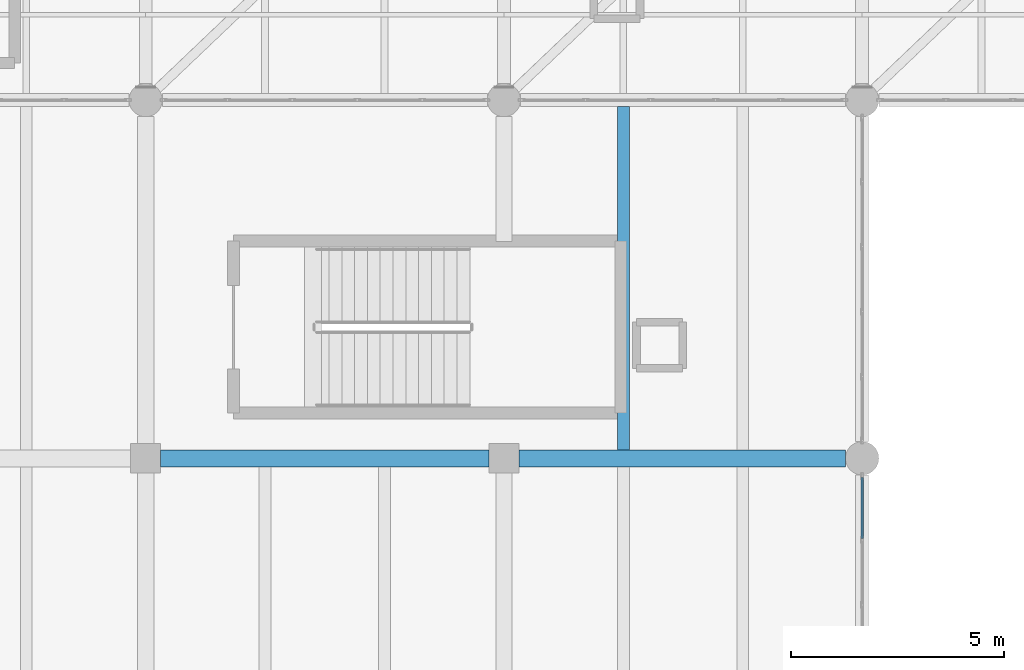
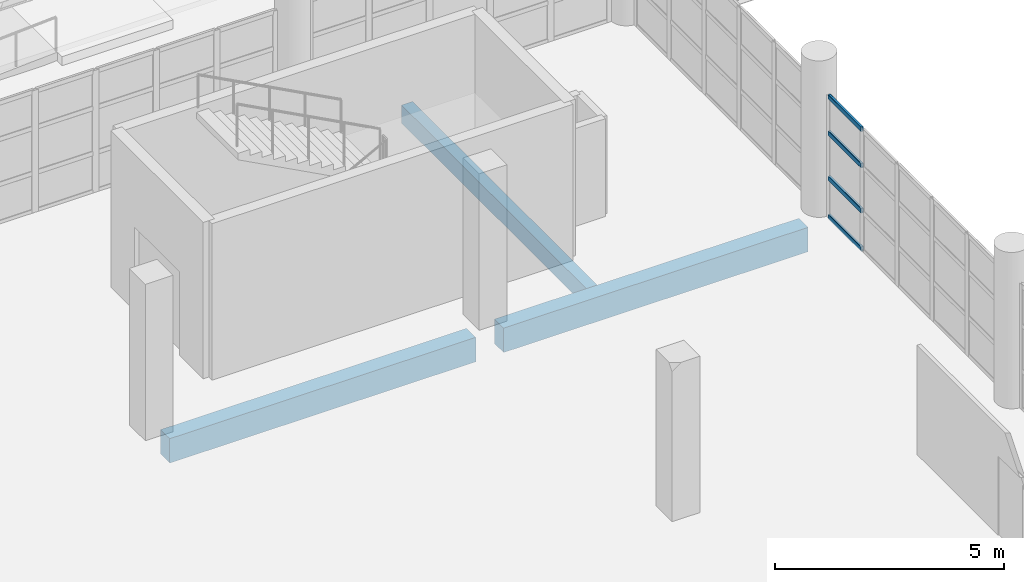
# One storey, part 95 of 177: 4 members, 3 beams, 1 element without a shape of its own.
"""IFC4 building model written with IfcOpenShell, lengths in metres."""

import ifcopenshell
import ifcopenshell.guid

model = None  # the IFC model being written
_history = None  # IfcOwnerHistory: only IFC2X3 demands one
_inside = {}  # id of a spatial element -> (the spatial element, [elements in it])
_under = {}  # id of a project, library or spatial element -> (it, [spatial elements below it])
_declared = {}  # id of a project -> (the project, [libraries it declares])
_typed = {}  # id of a type object -> (the type object, [elements of that type])
_made_of = {}  # id of a material, layer set ... -> (it, [elements and type objects made of it])


def new_model(schema):
    """Start an empty IFC model of exactly this schema.

    Asked for "IFC4X3", IfcOpenShell would pick the latest addendum, in which some entities
    have other attributes; the version numbers below select the first issue.
    IFC2X3 requires an IfcOwnerHistory on every rooted entity: one is made here for all.
    """
    global model, _history
    if schema == "IFC4X3":
        model = ifcopenshell.file(schema_version=(4, 3, 0, 0))
    else:
        model = ifcopenshell.file(schema=schema)
    _inside.clear()
    _under.clear()
    _declared.clear()
    _typed.clear()
    _made_of.clear()
    _history = None
    if model.schema == "IFC2X3":
        org = make("IfcOrganization", Name="unknown")
        user = make(
            "IfcPersonAndOrganization",
            ThePerson=make("IfcPerson", FamilyName="unknown"),
            TheOrganization=org,
        )
        app = make(
            "IfcApplication",
            ApplicationDeveloper=org,
            Version="unknown",
            ApplicationFullName="unknown",
            ApplicationIdentifier="unknown",
        )
        _history = make(
            "IfcOwnerHistory",
            OwningUser=user,
            OwningApplication=app,
            ChangeAction="ADDED",
            CreationDate=0,
        )
    return model


def make(cls, **values):
    """One entity of the class cls with the attributes given. An attribute that is None is left unset."""
    return model.create_entity(
        cls, **{name: value for name, value in values.items() if value is not None}
    )


def rooted(cls, **values):
    """An entity with a GlobalId (a new one), such as an element, a storey or a relation."""
    return make(cls, GlobalId=ifcopenshell.guid.new(), OwnerHistory=_history, **values)


def si_unit(unit_type, name, prefix=None):
    """IfcSIUnit, for example si_unit("LENGTHUNIT", "METRE", prefix="MILLI")."""
    return make("IfcSIUnit", UnitType=unit_type, Prefix=prefix, Name=name)


def assignment(units):
    """IfcUnitAssignment: the units of a project."""
    return None if units is None else make("IfcUnitAssignment", Units=units)


def point(xyz):
    """IfcCartesianPoint."""
    return None if xyz is None else make("IfcCartesianPoint", Coordinates=xyz)


def direction(xyz):
    """IfcDirection."""
    return None if xyz is None else make("IfcDirection", DirectionRatios=xyz)


def frame(location, z_axis=None, x_axis=None):
    """IfcAxis2Placement3D, a coordinate frame: its origin and axes. An axis left out is left unset."""
    return make(
        "IfcAxis2Placement3D",
        Location=point(location),
        Axis=direction(z_axis),
        RefDirection=direction(x_axis),
    )


def frame_2d(location, x_axis=None):
    """IfcAxis2Placement2D, a coordinate frame in the plane: its origin and x axis."""
    return make(
        "IfcAxis2Placement2D", Location=point(location), RefDirection=direction(x_axis)
    )


def origin():
    """The frame at (0, 0, 0) with its axes left unset."""
    return frame((0.0, 0.0, 0.0))


def origin_2d():
    """The frame at (0, 0) in the plane with its x axis left unset."""
    return frame_2d((0.0, 0.0))


def place(relative_to, where):
    """IfcLocalPlacement: puts the frame where relative to a parent placement (None: the world)."""
    return make(
        "IfcLocalPlacement", PlacementRelTo=relative_to, RelativePlacement=where
    )


def context(
    kind, dimensions, precision=None, world=None, true_north=None, identifier=None
):
    """IfcGeometricRepresentationContext, for example the 3D "Model" context."""
    return make(
        "IfcGeometricRepresentationContext",
        ContextIdentifier=identifier,
        ContextType=kind,
        CoordinateSpaceDimension=dimensions,
        Precision=precision,
        WorldCoordinateSystem=world,
        TrueNorth=true_north,
    )


def subcontext(parent, identifier, kind, view, scale=None):
    """IfcGeometricRepresentationSubContext, for example "Body" below "Model"."""
    return make(
        "IfcGeometricRepresentationSubContext",
        ContextIdentifier=identifier,
        ContextType=kind,
        ParentContext=parent,
        TargetScale=scale,
        TargetView=view,
    )


def project(units=None, contexts=None):
    """IfcProject with its units and contexts."""
    return rooted(
        "IfcProject",
        Name="project",
        RepresentationContexts=contexts,
        UnitsInContext=assignment(units),
    )


def spatial(cls, under=None, at=None, **own):
    """A site, building, storey or space (cls), placed at a placement, below another one or the project."""
    s = rooted(cls, ObjectPlacement=at, **own)
    if under is not None:
        _under.setdefault(under.id(), (under, []))[1].append(s)
    return s


def profile(cls, at=None, kind="AREA", **sizes):
    """A parametric profile (cls). Its sizes go by their IFC names, for example OverallWidth=200.0."""
    return make(cls, ProfileType=kind, Position=at, **sizes)


def rectangle(**sizes):
    """IfcRectangleProfileDef."""
    return profile("IfcRectangleProfileDef", **sizes)


def hollow_rectangle(**sizes):
    """IfcRectangleHollowProfileDef."""
    return profile("IfcRectangleHollowProfileDef", **sizes)


def extrude(swept, where, along, depth):
    """IfcExtrudedAreaSolid: the profile swept, set in the frame where, extruded along a direction by depth."""
    return make(
        "IfcExtrudedAreaSolid",
        SweptArea=swept,
        Position=where,
        ExtrudedDirection=direction(along),
        Depth=depth,
    )


def shape(context_of_items, identifier, shape_type, items):
    """IfcShapeRepresentation: the items that make up one representation, for example the "Body"."""
    return make(
        "IfcShapeRepresentation",
        ContextOfItems=context_of_items,
        RepresentationIdentifier=identifier,
        RepresentationType=shape_type,
        Items=items,
    )


def material(Name=None, Category=None):
    """IfcMaterial."""
    return make("IfcMaterial", Name=Name, Category=Category)


def layer(
    of_material, thickness, ventilated=None, Name=None, Category=None, Priority=None
):
    """IfcMaterialLayer: one layer of a wall or slab, of a material (None: an air gap)."""
    return make(
        "IfcMaterialLayer",
        Material=of_material,
        LayerThickness=thickness,
        IsVentilated=ventilated,
        Name=Name,
        Category=Category,
        Priority=Priority,
    )


def layer_set(layers, Name=None):
    """IfcMaterialLayerSet."""
    return make("IfcMaterialLayerSet", MaterialLayers=layers, LayerSetName=Name)


def material_profile(
    of_material, cross_section, Name=None, Category=None, Priority=None
):
    """IfcMaterialProfile: a cross section and its material."""
    return make(
        "IfcMaterialProfile",
        Name=Name,
        Material=of_material,
        Profile=cross_section,
        Priority=Priority,
        Category=Category,
    )


def profile_set(profiles, Name=None, composite=None):
    """IfcMaterialProfileSet."""
    return make(
        "IfcMaterialProfileSet",
        Name=Name,
        MaterialProfiles=profiles,
        CompositeProfile=composite,
    )


def made_of(thing, what):
    """Note that an element or type object is made of a material, layer set ...; save() writes the relation."""
    if what is not None:
        _made_of.setdefault(what.id(), (what, []))[1].append(thing)
    return thing


def type_object(cls, material=None, **own):
    """A type object (cls), such as IfcWallType, which elements share."""
    return made_of(rooted(cls, **own), material)


def element(
    cls,
    number,
    at=None,
    inside=None,
    cuts=None,
    type_object=None,
    material=None,
    context=None,
    identifier="Body",
    shape_type=None,
    held_by="IfcProductDefinitionShape",
    body=None,
    shapes=None,
    **own,
):
    """One element of the class cls, such as IfcWall. Its Tag is "e" and its number.

    at: its placement. inside: the storey or other place that contains it. cuts: it is an
    opening in that element (IfcRelVoidsElement). A single representation is given by context,
    identifier, shape_type and body (its items); several are given by shapes. held_by: the class
    of the entity that holds the representations. save() writes the other relations.
    """
    e = rooted(cls, Tag="e%d" % number, ObjectPlacement=at, **own)
    if body is not None:
        shapes = [shape(context, identifier, shape_type, body)]
    if shapes is not None:
        e.Representation = make(held_by, Representations=shapes)
    if inside is not None:
        _inside.setdefault(inside.id(), (inside, []))[1].append(e)
    if cuts is not None:
        rooted(
            "IfcRelVoidsElement", RelatingBuildingElement=cuts, RelatedOpeningElement=e
        )
    if type_object is not None:
        _typed.setdefault(type_object.id(), (type_object, []))[1].append(e)
    return made_of(e, material)


def aggregate(whole, parts):
    """IfcRelAggregates: a whole, such as a stair, and the parts it consists of."""
    return rooted("IfcRelAggregates", RelatingObject=whole, RelatedObjects=parts)


def save(model, path):
    """Write the relations noted so far, then the file.

    IfcRelAggregates (storeys below a building ...), IfcRelContainedInSpatialStructure (elements
    in a storey), IfcRelDefinesByType, IfcRelAssociatesMaterial and IfcRelDeclares: one each for
    every whole, place, type object, material and project.
    """
    for whole, parts in _under.values():
        aggregate(whole, parts)
    for where, things in _inside.values():
        rooted(
            "IfcRelContainedInSpatialStructure",
            RelatedElements=things,
            RelatingStructure=where,
        )
    for kind, things in _typed.values():
        rooted("IfcRelDefinesByType", RelatedObjects=things, RelatingType=kind)
    for what, things in _made_of.values():
        rooted("IfcRelAssociatesMaterial", RelatedObjects=things, RelatingMaterial=what)
    for by, libraries in _declared.values():
        rooted("IfcRelDeclares", RelatingContext=by, RelatedDefinitions=libraries)
    model.write(path)


model = new_model("IFC4")

# Units and contexts
model_context = context("Model", 3, precision=1e-05, world=origin(), true_north=direction((0.0, 1.0)))
body_context = subcontext(model_context, "Body", "Model", "MODEL_VIEW")
ifc_project = project(units=[si_unit("LENGTHUNIT", "METRE"), si_unit("AREAUNIT", "SQUARE_METRE"), si_unit("VOLUMEUNIT", "CUBIC_METRE"), si_unit("PLANEANGLEUNIT", "RADIAN"), si_unit("MASSUNIT", "GRAM", prefix="KILO"), si_unit("THERMODYNAMICTEMPERATUREUNIT", "KELVIN"), si_unit("POWERUNIT", "WATT")], contexts=[model_context])

# Site, building, storey
site_placement = place(None, origin())
site = spatial("IfcSite", under=ifc_project, at=site_placement, CompositionType="ELEMENT")
building_placement = place(site_placement, origin())
building = spatial("IfcBuilding", under=site, at=building_placement, Name="Mavoryth Pier Ferry Terminal", CompositionType="ELEMENT")
storey_placement = place(building_placement, frame((0.0, 0.0, 5.43994140625)))
storey = spatial("IfcBuildingStorey", under=building, at=storey_placement, Name="L01", CompositionType="ELEMENT", Elevation=5.43994140625)

# Beams
ifc_material_1 = material(Name="Concrete C35/45", Category="concrete")
ifc_material_profile_1 = material_profile(ifc_material_1, rectangle(XDim=0.39990234375, YDim=0.64990234375, at=origin_2d()), Name="RC 400x650", Category="concrete")
ifc_profile_set_1 = profile_set([ifc_material_profile_1], Name="Concrete C35/45 - RC 400x650")
beam_type_1 = type_object("IfcBeamType", Name="Girder-RC-400x650", PredefinedType="BEAM", material=ifc_profile_set_1)
beam_1_placement = place(storey_placement, frame((75.949951171875, 97.60009765625, -0.60498046875), z_axis=(1.0, 0.0, 0.0), x_axis=(0.0, 1.0, 0.0)))
element("IfcBeam", 1, at=beam_1_placement, inside=storey, type_object=beam_type_1, Name="Beam B01-BG05-0197", PredefinedType="BEAM", context=body_context, shape_type="SweptSolid", body=[
    extrude(rectangle(XDim=0.39990234375, YDim=0.64990234375, at=origin_2d()), origin(), (0.0, 0.0, 1.0), 7.699951171875),
])
beam_2_placement = place(storey_placement, frame((84.35009765625, 97.60009765625, -0.60498046875), z_axis=(1.0, 0.0, 0.0), x_axis=(0.0, 1.0, 0.0)))
element("IfcBeam", 2, at=beam_2_placement, inside=storey, type_object=beam_type_1, Name="Beam B01-BG05-0198", PredefinedType="BEAM", context=body_context, shape_type="SweptSolid", body=[
    extrude(rectangle(XDim=0.39990234375, YDim=0.64990234375, at=origin_2d()), origin(), (0.0, 0.0, 1.0), 7.659912109375),
])
ifc_material_profile_2 = material_profile(ifc_material_1, rectangle(XDim=0.280029296875, YDim=0.47998046875, at=origin_2d()), Name="RC 280x480", Category="concrete")
ifc_profile_set_2 = profile_set([ifc_material_profile_2], Name="Concrete C35/45 - RC 280x480")
beam_type_2 = type_object("IfcBeamType", Name="Joist-RC-280x480", PredefinedType="JOIST", material=ifc_profile_set_2)
beam_3_placement = place(storey_placement, frame((86.800048828125, 97.800048828125, -0.52001953125), z_axis=(0.0, 1.0, 0.0), x_axis=(-1.0, 0.0, 0.0)))
element("IfcBeam", 3, at=beam_3_placement, inside=storey, type_object=beam_type_2, Name="Beam B01-BJ02-0257", PredefinedType="JOIST", context=body_context, shape_type="SweptSolid", body=[
    extrude(rectangle(XDim=0.280029296875, YDim=0.47998046875, at=origin_2d()), origin(), (0.0, 0.0, 1.0), 8.050048828125),
])

# Curtain wall, members
ifc_material_2 = material(Name="Anodised Aluminium and Solar-Control Low-E Glass", Category="aluminium")
ifc_layer = layer(ifc_material_2, 0.159912109375, Name="Anodised Aluminium and Solar-Control Low-E Glass", Category="aluminium")
ifc_layer_set = layer_set([ifc_layer], Name="Anodised Aluminium and Solar-Control Low-E Glass - CW-Arrivals-Mod1400")
curtain_wall_type = type_object("IfcCurtainWallType", Name="CW-Arrivals-Mod1400", PredefinedType="USERDEFINED", material=ifc_layer_set)
curtain_wall_placement = place(storey_placement, origin())
curtain_wall = element("IfcCurtainWall", 4, at=curtain_wall_placement, inside=storey, type_object=curtain_wall_type, Name="Curtain Wall CW-0122-068", ObjectType="UNITISED CURTAIN WALL", PredefinedType="USERDEFINED")
ifc_material_3 = material(Name="Anodised Aluminium EN AW-6063", Category="aluminium")
ifc_material_profile_3 = material_profile(ifc_material_3, hollow_rectangle(XDim=0.06005859375, YDim=0.125, WallThickness=0.00390625, InnerFilletRadius=0.00390625, OuterFilletRadius=0.008056640625, at=origin_2d()), Name="AL-TRAN 125x60x4", Category="aluminium")
ifc_profile_set_3 = profile_set([ifc_material_profile_3], Name="Anodised Aluminium EN AW-6063 - AL-TRAN 125x60x4")
member_type = type_object("IfcMemberType", Name="Transom-Alum-125x60", PredefinedType="USERDEFINED", material=ifc_profile_set_3)
member_1_placement = place(storey_placement, frame((92.39990234375, 95.716064453125, 0.030029296875), z_axis=(0.0, 1.0, 0.0), x_axis=(-1.0, 0.0, 0.0)))
member_1 = element("IfcMember", 5, at=member_1_placement, type_object=member_type, Name="CW04 transom 5.1", ObjectType="TRANSOM", PredefinedType="USERDEFINED", context=body_context, shape_type="SweptSolid", body=[
    extrude(hollow_rectangle(XDim=0.06005859375, YDim=0.125, WallThickness=0.00390625, InnerFilletRadius=0.00390625, OuterFilletRadius=0.008056640625, at=origin_2d()), origin(), (0.0, 0.0, 1.0), 1.433837890625),
])
member_2_placement = place(storey_placement, frame((92.39990234375, 95.716064453125, 1.050048828125), z_axis=(0.0, 1.0, 0.0), x_axis=(-1.0, 0.0, 0.0)))
member_2 = element("IfcMember", 6, at=member_2_placement, type_object=member_type, Name="CW04 transom 5.2", ObjectType="TRANSOM", PredefinedType="USERDEFINED", context=body_context, shape_type="SweptSolid", body=[
    extrude(hollow_rectangle(XDim=0.06005859375, YDim=0.125, WallThickness=0.00390625, InnerFilletRadius=0.00390625, OuterFilletRadius=0.008056640625, at=origin_2d()), origin(), (0.0, 0.0, 1.0), 1.433837890625),
])
member_3_placement = place(storey_placement, frame((92.39990234375, 95.716064453125, 2.25), z_axis=(0.0, 1.0, 0.0), x_axis=(-1.0, 0.0, 0.0)))
member_3 = element("IfcMember", 7, at=member_3_placement, type_object=member_type, Name="CW04 transom 5.3", ObjectType="TRANSOM", PredefinedType="USERDEFINED", context=body_context, shape_type="SweptSolid", body=[
    extrude(hollow_rectangle(XDim=0.06005859375, YDim=0.125, WallThickness=0.00390625, InnerFilletRadius=0.00390625, OuterFilletRadius=0.008056640625, at=origin_2d()), origin(), (0.0, 0.0, 1.0), 1.433837890625),
])
member_4_placement = place(storey_placement, frame((92.39990234375, 95.716064453125, 3.215087890625), z_axis=(0.0, 1.0, 0.0), x_axis=(-1.0, 0.0, 0.0)))
member_4 = element("IfcMember", 8, at=member_4_placement, type_object=member_type, Name="CW04 transom 5.4", ObjectType="TRANSOM", PredefinedType="USERDEFINED", context=body_context, shape_type="SweptSolid", body=[
    extrude(hollow_rectangle(XDim=0.06005859375, YDim=0.125, WallThickness=0.00390625, InnerFilletRadius=0.00390625, OuterFilletRadius=0.008056640625, at=origin_2d()), origin(), (0.0, 0.0, 1.0), 1.433837890625),
])
aggregate(curtain_wall, [member_1, member_2, member_3, member_4])

save(model, "model.ifc")
